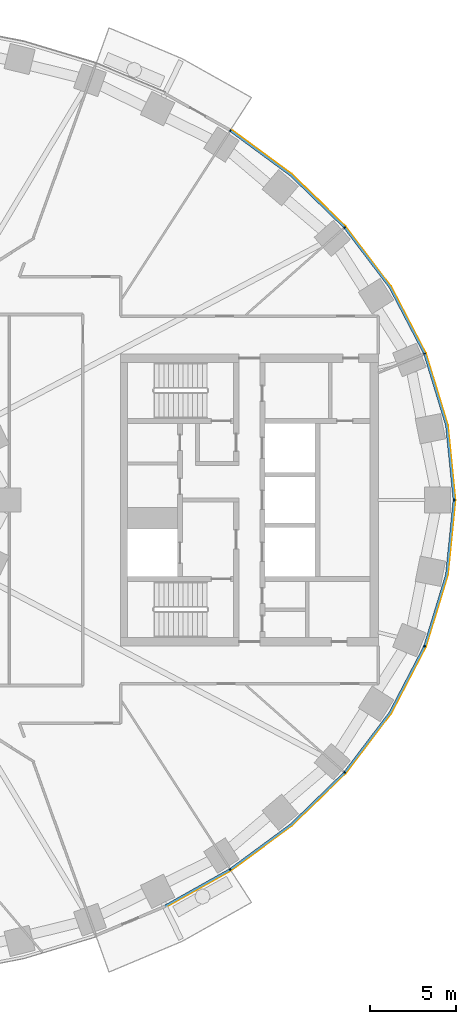
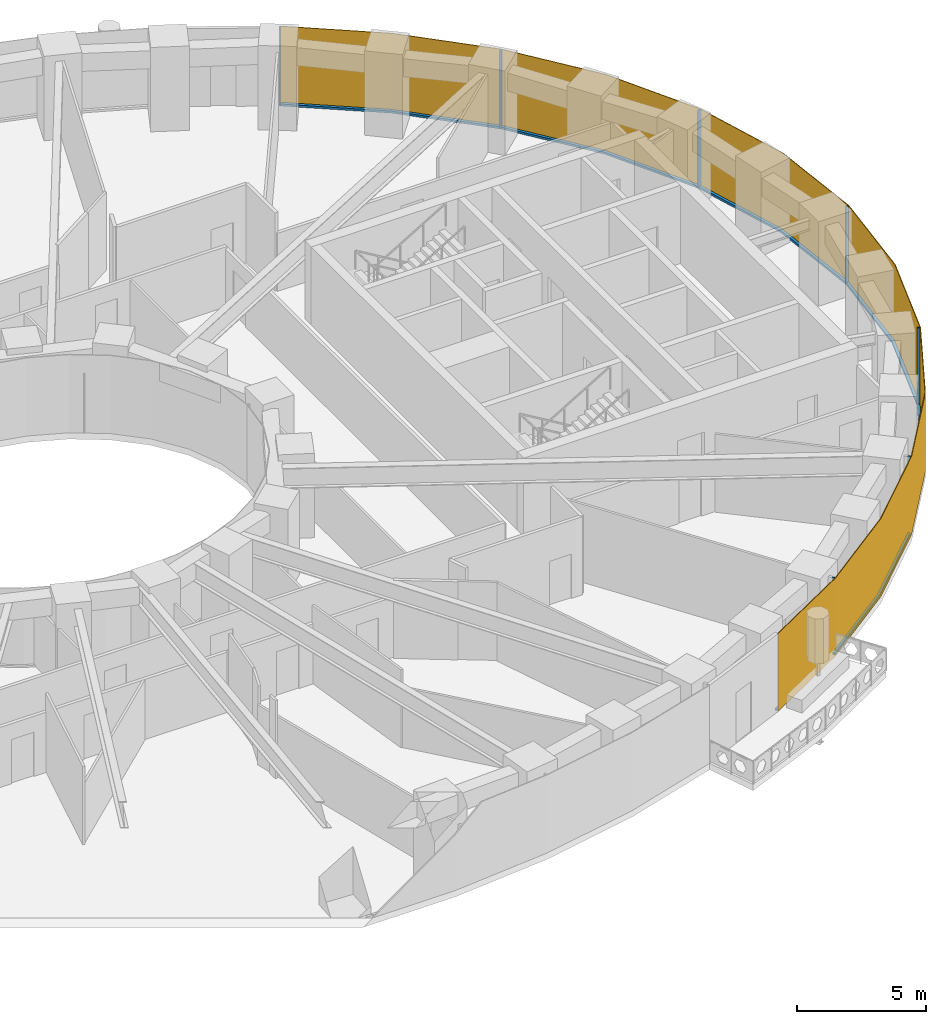
# One storey, part 11 of 15: 14 members, 1 curtain wall.
"""IFC4 building model written with IfcOpenShell, lengths in metres."""

from ifc_helpers import new_model, si_unit, direction, frame, origin, origin_2d, place, context, subcontext, project, spatial, polyline, rectangle, outline, extrude, material, layer, layer_set, material_profile, profile_set, type_object, element, aggregate, save


model = new_model("IFC4")

# Units and contexts
model_context = context("Model", 3, precision=1e-05, world=origin(), true_north=direction((0.0, 1.0)))
body_context = subcontext(model_context, "Body", "Model", "MODEL_VIEW")
ifc_project = project(units=[si_unit("LENGTHUNIT", "METRE"), si_unit("AREAUNIT", "SQUARE_METRE"), si_unit("VOLUMEUNIT", "CUBIC_METRE"), si_unit("PLANEANGLEUNIT", "RADIAN"), si_unit("MASSUNIT", "GRAM", prefix="KILO")], contexts=[model_context])

# Member
ifc_material_1 = material(Name="Aluminium 6063-T6 black anodised", Category="aluminium")
ifc_material_profile = material_profile(ifc_material_1, rectangle(XDim=0.1201171875, YDim=0.06005859375, at=origin_2d()), Name="120x60")
ifc_profile_set = profile_set([ifc_material_profile], Name="Aluminium 6063-T6 black anodised")
member_type_1 = type_object("IfcMemberType", Name="ENV-MULLION-A-120", PredefinedType="MULLION", material=ifc_profile_set)
site_placement = place(None, origin())
building_placement = place(site_placement, origin())
storey_placement = place(building_placement, frame((0.0, 0.0, 38.5)))
member_1_placement = place(storey_placement, frame((22.882568359375, -21.506591796875, 0.0), z_axis=(0.0, 0.0, 1.0), x_axis=(-0.542279153225, 0.840198381323, 0.0)))
member_1 = element("IfcMember", 1, at=member_1_placement, type_object=member_type_1, Name="Mullion A radial 41", PredefinedType="MULLION", context=body_context, shape_type="SweptSolid", body=[
    extrude(rectangle(XDim=0.1201171875, YDim=0.06005859375, at=origin_2d()), origin(), (0.0, 0.0, 1.0), 3.699951171875),
])

member_2_placement = place(storey_placement, frame((29.53857421875, -15.8671875, 0.0), z_axis=(0.0, 0.0, 1.0), x_axis=(-0.749047221705, 0.662516610853, 0.0)))
member_2 = element("IfcMember", 2, at=member_2_placement, type_object=member_type_1, Name="Mullion A radial 43", PredefinedType="MULLION", context=body_context, shape_type="SweptSolid", body=[
    extrude(rectangle(XDim=0.1201171875, YDim=0.06005859375, at=origin_2d()), origin(), (0.0, 0.0, 1.0), 3.699951171875),
])

member_3_placement = place(storey_placement, frame((34.19580078125, -8.513916015625, 0.0), z_axis=(0.0, 0.0, 1.0), x_axis=(-0.92546738067, 0.378827305398, 0.0)))
member_3 = element("IfcMember", 3, at=member_3_placement, type_object=member_type_1, Name="Mullion A radial 45", PredefinedType="MULLION", context=body_context, shape_type="SweptSolid", body=[
    extrude(rectangle(XDim=0.1201171875, YDim=0.06005859375, at=origin_2d()), origin(), (0.0, 0.0, 1.0), 3.699951171875),
])

member_4_placement = place(storey_placement, frame((35.907958984375, 0.0, 0.0), z_axis=(0.0, 0.0, 1.0), x_axis=(-1.0, 0.0, 0.0)))
member_4 = element("IfcMember", 4, at=member_4_placement, type_object=member_type_1, Name="Mullion A radial 01", PredefinedType="MULLION", context=body_context, shape_type="SweptSolid", body=[
    extrude(rectangle(XDim=0.1201171875, YDim=0.06005859375, at=origin_2d()), origin(), (0.0, 0.0, 1.0), 3.699951171875),
])

member_5_placement = place(storey_placement, frame((34.19580078125, 8.513916015625, 0.0), z_axis=(0.0, 0.0, 1.0), x_axis=(-0.92546738067, -0.378827305398, 0.0)))
member_5 = element("IfcMember", 5, at=member_5_placement, type_object=member_type_1, Name="Mullion A radial 03", PredefinedType="MULLION", context=body_context, shape_type="SweptSolid", body=[
    extrude(rectangle(XDim=0.1201171875, YDim=0.06005859375, at=origin_2d()), origin(), (0.0, 0.0, 1.0), 3.699951171875),
])

member_6_placement = place(storey_placement, frame((29.53857421875, 15.8671875, 0.0), z_axis=(0.0, 0.0, 1.0), x_axis=(-0.749047221705, -0.662516610853, 0.0)))
member_6 = element("IfcMember", 6, at=member_6_placement, type_object=member_type_1, Name="Mullion A radial 05", PredefinedType="MULLION", context=body_context, shape_type="SweptSolid", body=[
    extrude(rectangle(XDim=0.1201171875, YDim=0.06005859375, at=origin_2d()), origin(), (0.0, 0.0, 1.0), 3.699951171875),
])

member_7_placement = place(storey_placement, frame((22.882568359375, 21.506591796875, 0.0), z_axis=(0.0, 0.0, 1.0), x_axis=(-0.542279153225, -0.840198381323, 0.0)))
member_7 = element("IfcMember", 7, at=member_7_placement, type_object=member_type_1, Name="Mullion A radial 07", PredefinedType="MULLION", context=body_context, shape_type="SweptSolid", body=[
    extrude(rectangle(XDim=0.1201171875, YDim=0.06005859375, at=origin_2d()), origin(), (0.0, 0.0, 1.0), 3.699951171875),
])

ifc_material_2 = material(Name="Aluminium 6063-T6 black anodised", Category="aluminium")
member_type_2 = type_object("IfcMemberType", Name="ENV-TRANSOM-A", PredefinedType="USERDEFINED", material=ifc_material_2)
member_8_placement = place(storey_placement, origin())
member_8 = element("IfcMember", 8, at=member_8_placement, type_object=member_type_2, Name="Transom A radial 40-41", ObjectType="TRANSOM", PredefinedType="USERDEFINED", context=body_context, shape_type="SweptSolid", body=[
    extrude(outline(polyline([(19.111572265625, -23.691650390625), (22.890625, -21.570556640625), (22.825439453125, -21.469482421875), (19.058837890625, -23.58349609375), (19.111572265625, -23.691650390625)])), origin(), (0.0, 0.0, 1.0), 0.10009765625),
])

member_9_placement = place(storey_placement, origin())
member_9 = element("IfcMember", 9, at=member_9_placement, type_object=member_type_2, Name="Transom A radial 41-43", ObjectType="TRANSOM", PredefinedType="USERDEFINED", context=body_context, shape_type="SweptSolid", body=[
    extrude(outline(polyline([(22.937744140625, -21.540283203125), (26.4423828125, -18.958740234375), (29.5634765625, -15.926513671875), (29.473388671875, -15.8466796875), (26.364501953125, -18.866943359375), (22.87255859375, -21.439208984375), (22.937744140625, -21.540283203125)])), origin(), (0.0, 0.0, 1.0), 0.10009765625),
])

member_10_placement = place(storey_placement, origin())
member_10 = element("IfcMember", 10, at=member_10_placement, type_object=member_type_2, Name="Transom A radial 43-45", ObjectType="TRANSOM", PredefinedType="USERDEFINED", context=body_context, shape_type="SweptSolid", body=[
    extrude(outline(polyline([(29.6005859375, -15.884521484375), (32.22802734375, -12.41748046875), (34.23828125, -8.5615234375), (34.126708984375, -8.515869140625), (32.126220703125, -12.35302734375), (29.51025390625, -15.8046875), (29.6005859375, -15.884521484375)])), origin(), (0.0, 0.0, 1.0), 0.10009765625),
])

member_11_placement = place(storey_placement, origin())
member_11 = element("IfcMember", 11, at=member_11_placement, type_object=member_type_2, Name="Transom A radial 45-01", ObjectType="TRANSOM", PredefinedType="USERDEFINED", context=body_context, shape_type="SweptSolid", body=[
    extrude(outline(polyline([(34.259521484375, -8.509765625), (35.529541015625, -4.352294921875), (35.965087890625, -0.02783203125), (35.844482421875, -0.02783203125), (35.411376953125, -4.32861328125), (34.14794921875, -8.464111328125), (34.259521484375, -8.509765625)])), origin(), (0.0, 0.0, 1.0), 0.10009765625),
])

member_12_placement = place(storey_placement, origin())
member_12 = element("IfcMember", 12, at=member_12_placement, type_object=member_type_2, Name="Transom A radial 01-03", ObjectType="TRANSOM", PredefinedType="USERDEFINED", context=body_context, shape_type="SweptSolid", body=[
    extrude(outline(polyline([(35.965087890625, 0.02783203125), (35.529541015625, 4.352294921875), (34.259521484375, 8.509765625), (34.14794921875, 8.464111328125), (35.411376953125, 4.32861328125), (35.844482421875, 0.02783203125), (35.965087890625, 0.02783203125)])), origin(), (0.0, 0.0, 1.0), 0.10009765625),
])

member_13_placement = place(storey_placement, origin())
member_13 = element("IfcMember", 13, at=member_13_placement, type_object=member_type_2, Name="Transom A radial 03-05", ObjectType="TRANSOM", PredefinedType="USERDEFINED", context=body_context, shape_type="SweptSolid", body=[
    extrude(outline(polyline([(34.23828125, 8.5615234375), (32.22802734375, 12.41748046875), (29.6005859375, 15.884521484375), (29.51025390625, 15.8046875), (32.126220703125, 12.35302734375), (34.126708984375, 8.515869140625), (34.23828125, 8.5615234375)])), origin(), (0.0, 0.0, 1.0), 0.10009765625),
])

member_14_placement = place(storey_placement, origin())
member_14 = element("IfcMember", 14, at=member_14_placement, type_object=member_type_2, Name="Transom A radial 05-07", ObjectType="TRANSOM", PredefinedType="USERDEFINED", context=body_context, shape_type="SweptSolid", body=[
    extrude(outline(polyline([(29.5634765625, 15.926513671875), (26.4423828125, 18.958740234375), (22.937744140625, 21.540283203125), (22.87255859375, 21.439208984375), (26.364501953125, 18.866943359375), (29.473388671875, 15.8466796875), (29.5634765625, 15.926513671875)])), origin(), (0.0, 0.0, 1.0), 0.10009765625),
])

# Site, building, storey
site = spatial("IfcSite", under=ifc_project, at=site_placement, CompositionType="ELEMENT")
building = spatial("IfcBuilding", under=site, at=building_placement, Name="Noorbagh Ring Tower", CompositionType="ELEMENT")
storey = spatial("IfcBuildingStorey", under=building, at=storey_placement, Name="L07", CompositionType="ELEMENT", Elevation=38.5)

# Curtain wall
ifc_material_3 = material(Name="Glass dark tinted laminated", Category="glass")
ifc_layer = layer(ifc_material_3, 0.031982421875)
ifc_layer_set = layer_set([ifc_layer], Name="Glass dark tinted laminated")
curtain_wall_type = type_object("IfcCurtainWallType", Name="ENV-CW-A", PredefinedType="NOTDEFINED", material=ifc_layer_set)
curtain_wall_placement = place(storey_placement, origin())
curtain_wall = element("IfcCurtainWall", 15, at=curtain_wall_placement, inside=storey, type_object=curtain_wall_type, Name="Curtain wall A R40", PredefinedType="NOTDEFINED", context=body_context, shape_type="SweptSolid", body=[
    extrude(outline(polyline([(19.125732421875, -23.720458984375), (22.9326171875, -21.583740234375), (26.463134765625, -18.9833984375), (29.607666015625, -15.927978515625), (32.255126953125, -12.434814453125), (34.281005859375, -8.548828125), (35.561279296875, -4.358642578125), (36.0, 0.0), (35.561279296875, 4.358642578125), (34.281005859375, 8.548828125), (32.255126953125, 12.434814453125), (29.607666015625, 15.927978515625), (26.463134765625, 18.9833984375), (22.948486328125, 21.572021484375), (22.931396484375, 21.544921875), (26.4423828125, 18.958740234375), (29.58349609375, 15.906982421875), (32.22802734375, 12.41748046875), (34.251220703125, 8.53662109375), (35.529541015625, 4.352294921875), (35.9677734375, 0.0), (35.529541015625, -4.352294921875), (34.251220703125, -8.53662109375), (32.22802734375, -12.41748046875), (29.58349609375, -15.906982421875), (26.4423828125, -18.958740234375), (22.9150390625, -21.556884765625), (19.111572265625, -23.691650390625), (19.125732421875, -23.720458984375)])), origin(), (0.0, 0.0, 1.0), 3.699951171875),
])

aggregate(curtain_wall, [member_1, member_2, member_3, member_4, member_5, member_6, member_7, member_8, member_9, member_10, member_11, member_12, member_13, member_14])

save(model, "model.ifc")
